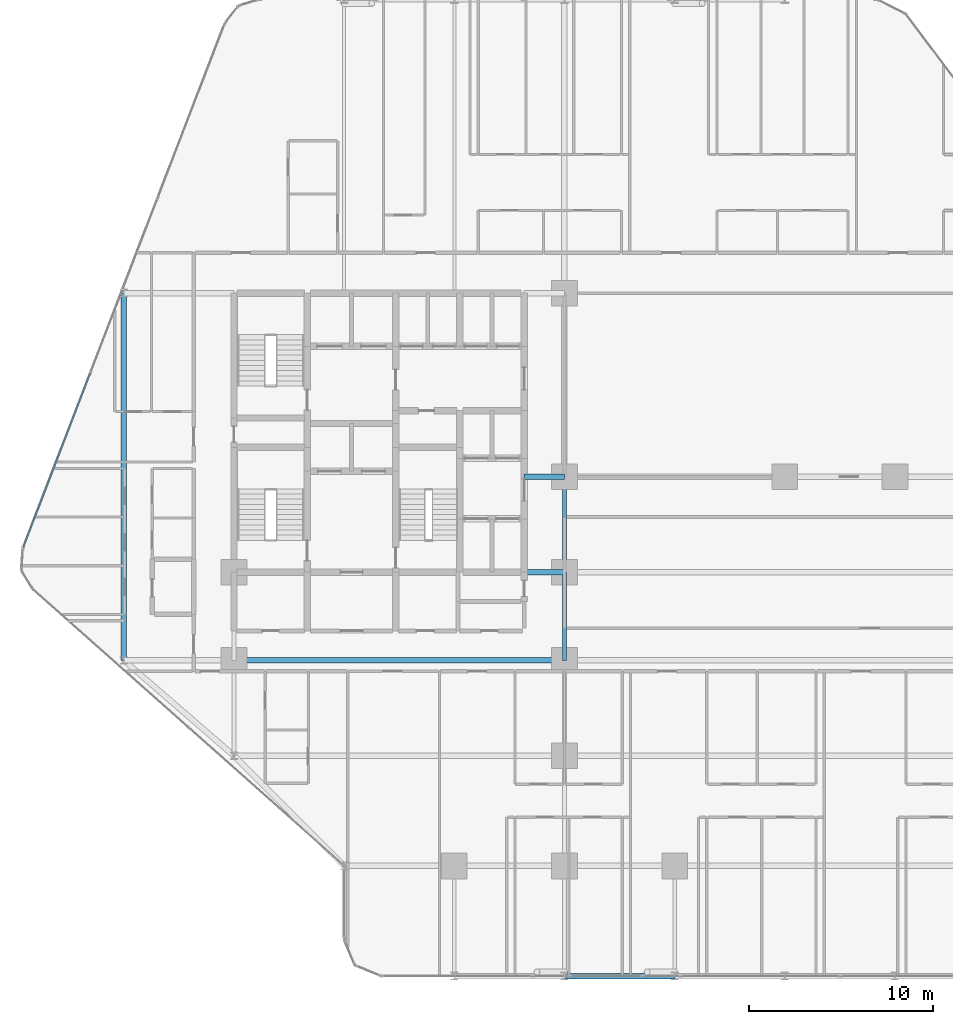
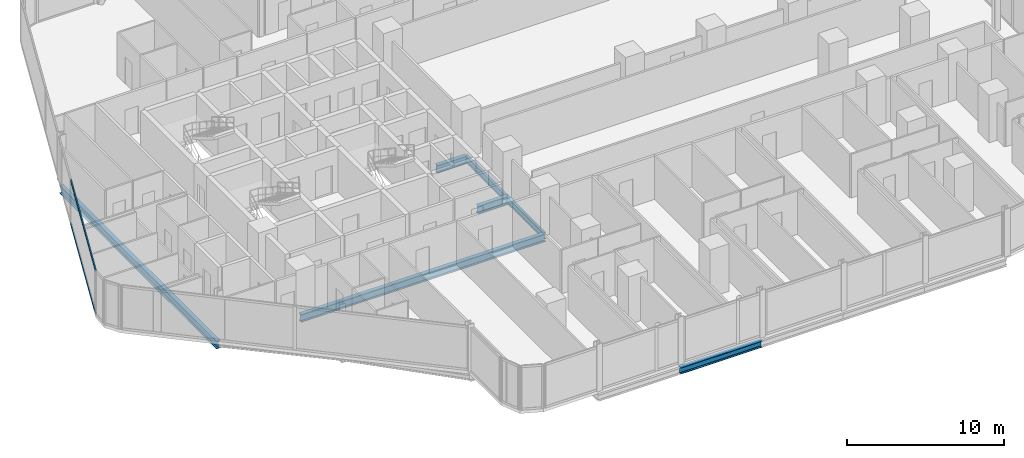
# One storey, part 6 of 33: 7 beams, 2 members, 1 element without a shape of its own.
"""IFC4 building model written with IfcOpenShell, lengths in metres."""

from ifc_helpers import new_model, si_unit, direction, frame, origin, origin_2d, place, context, subcontext, project, spatial, hollow_rectangle, i_section, extrude, material, layer, layer_set, material_profile, profile_set, type_object, element, aggregate, save


model = new_model("IFC4")

# Units and contexts
model_context = context("Model", 3, precision=1e-05, world=origin(), true_north=direction((0.0, 1.0)))
body_context = subcontext(model_context, "Body", "Model", "MODEL_VIEW")
ifc_project = project(units=[si_unit("LENGTHUNIT", "METRE"), si_unit("AREAUNIT", "SQUARE_METRE"), si_unit("VOLUMEUNIT", "CUBIC_METRE"), si_unit("PLANEANGLEUNIT", "RADIAN"), si_unit("MASSUNIT", "GRAM", prefix="KILO")], contexts=[model_context])

# Site, building, storey
site_placement = place(None, origin())
site = spatial("IfcSite", under=ifc_project, at=site_placement, CompositionType="ELEMENT")
building_placement = place(site_placement, origin())
building = spatial("IfcBuilding", under=site, at=building_placement, Name="Keshet Zoharim Tower", CompositionType="ELEMENT")
storey_placement = place(building_placement, frame((0.0, 0.0, 42.5)))
storey = spatial("IfcBuildingStorey", under=building, at=storey_placement, Name="L09", CompositionType="ELEMENT", Elevation=42.5)

# Beams
ifc_material_1 = material(Name="Steel S355", Category="steel")
ifc_material_profile_1 = material_profile(ifc_material_1, i_section(OverallWidth=0.300048828125, OverallDepth=0.60009765625, WebThickness=0.015380859375, FlangeThickness=0.030029296875, FilletRadius=0.027099609375, at=origin_2d()), Name="HEB600")
ifc_profile_set_1 = profile_set([ifc_material_profile_1], Name="Steel S355")
beam_type_1 = type_object("IfcBeamType", Name="BM-CLK-HB600", PredefinedType="BEAM", material=ifc_profile_set_1)
for number, where, z_axis, x_axis, name in (
    (1, (30.800048828125, 22.699951171875, -0.614990234375), (1.0, 0.0, 0.0), (0.0, 1.0, 0.0), "L09 Core Wall Link Girder 01"),
    (2, (30.800048828125, 27.89990234375, -0.614990234375), (1.0, 0.0, 0.0), (0.0, 1.0, 0.0), "L09 Core Wall Link Girder 02"),
):
    element("IfcBeam", number, at=place(storey_placement, frame(where, z_axis=z_axis, x_axis=x_axis)), inside=storey, type_object=beam_type_1, Name=name, PredefinedType="BEAM", context=body_context, shape_type="SweptSolid", body=[
        extrude(i_section(OverallWidth=0.300048828125, OverallDepth=0.60009765625, WebThickness=0.015380859375, FlangeThickness=0.030029296875, FilletRadius=0.027099609375, at=origin_2d()), origin(), (0.0, 0.0, 1.0), 2.199951171875),
    ])
ifc_material_profile_2 = material_profile(ifc_material_1, i_section(OverallWidth=0.300048828125, OverallDepth=0.60009765625, WebThickness=0.015380859375, FlangeThickness=0.030029296875, FilletRadius=0.027099609375, at=origin_2d()), Name="HEB600")
ifc_profile_set_2 = profile_set([ifc_material_profile_2], Name="Steel S355")
beam_type_2 = type_object("IfcBeamType", Name="BM-LNG-HB600", PredefinedType="BEAM", material=ifc_profile_set_2)
beam_1_placement = place(storey_placement, frame((15.0, 17.89990234375, -0.614990234375), z_axis=(1.0, 0.0, 0.0), x_axis=(0.0, 1.0, 0.0)))
element("IfcBeam", 3, at=beam_1_placement, inside=storey, type_object=beam_type_2, Name="L09 Primary Girder X-016", PredefinedType="BEAM", context=body_context, shape_type="SweptSolid", body=[
    extrude(i_section(OverallWidth=0.300048828125, OverallDepth=0.60009765625, WebThickness=0.015380859375, FlangeThickness=0.030029296875, FilletRadius=0.027099609375, at=origin_2d()), origin(), (0.0, 0.0, 1.0), 18.0),
])
beam_2_placement = place(storey_placement, frame((9.0, 17.89990234375, -0.614990234375), z_axis=(0.0, 1.0, 0.0), x_axis=(-1.0, 0.0, 0.0)))
element("IfcBeam", 4, at=beam_2_placement, inside=storey, type_object=beam_type_2, Name="L09 Primary Girder Y-001", PredefinedType="BEAM", context=body_context, shape_type="SweptSolid", body=[
    extrude(i_section(OverallWidth=0.300048828125, OverallDepth=0.60009765625, WebThickness=0.015380859375, FlangeThickness=0.030029296875, FilletRadius=0.027099609375, at=origin_2d()), origin(), (0.0, 0.0, 1.0), 20.0),
])
ifc_material_profile_3 = material_profile(ifc_material_1, i_section(OverallWidth=0.199951171875, OverallDepth=0.5, WebThickness=0.01025390625, FlangeThickness=0.01611328125, FilletRadius=0.02099609375, at=origin_2d()), Name="IPE500")
ifc_profile_set_3 = profile_set([ifc_material_profile_3], Name="Steel S355")
beam_type_3 = type_object("IfcBeamType", Name="BM-PRI-IP500", PredefinedType="BEAM", material=ifc_profile_set_3)
beam_3_placement = place(storey_placement, frame((33.0, 17.89990234375, -0.56494140625), z_axis=(0.0, 1.0, 0.0), x_axis=(-1.0, 0.0, 0.0)))
element("IfcBeam", 5, at=beam_3_placement, inside=storey, type_object=beam_type_3, Name="L09 Primary Girder Y-008", PredefinedType="BEAM", context=body_context, shape_type="SweptSolid", body=[
    extrude(i_section(OverallWidth=0.199951171875, OverallDepth=0.5, WebThickness=0.01025390625, FlangeThickness=0.01611328125, FilletRadius=0.02099609375, at=origin_2d()), origin(), (0.0, 0.0, 1.0), 4.800048828125),
])
beam_4_placement = place(storey_placement, frame((33.0, 22.699951171875, -0.56494140625), z_axis=(0.0, 1.0, 0.0), x_axis=(-1.0, 0.0, 0.0)))
element("IfcBeam", 6, at=beam_4_placement, inside=storey, type_object=beam_type_3, Name="L09 Primary Girder Y-009", PredefinedType="BEAM", context=body_context, shape_type="SweptSolid", body=[
    extrude(i_section(OverallWidth=0.199951171875, OverallDepth=0.5, WebThickness=0.01025390625, FlangeThickness=0.01611328125, FilletRadius=0.02099609375, at=origin_2d()), origin(), (0.0, 0.0, 1.0), 5.199951171875),
])
ifc_material_profile_4 = material_profile(ifc_material_1, i_section(OverallWidth=0.300048828125, OverallDepth=0.5, WebThickness=0.014404296875, FlangeThickness=0.028076171875, FilletRadius=0.027099609375, at=origin_2d()), Name="HEB500")
ifc_profile_set_4 = profile_set([ifc_material_profile_4], Name="Steel S355")
beam_type_4 = type_object("IfcBeamType", Name="BM-WEB-HB500", PredefinedType="BEAM", material=ifc_profile_set_4)
beam_5_placement = place(storey_placement, frame((33.0, 0.699951171875, -0.56494140625), z_axis=(1.0, 0.0, 0.0), x_axis=(0.0, 1.0, 0.0)))
element("IfcBeam", 7, at=beam_5_placement, inside=storey, type_object=beam_type_4, Name="L09 Primary Girder X-002", PredefinedType="BEAM", context=body_context, shape_type="SweptSolid", body=[
    extrude(i_section(OverallWidth=0.300048828125, OverallDepth=0.5, WebThickness=0.014404296875, FlangeThickness=0.028076171875, FilletRadius=0.027099609375, at=origin_2d()), origin(), (0.0, 0.0, 1.0), 6.0),
])

# Curtain wall, members
ifc_material_2 = material(Name="Aluminium 6063-T6", Category="aluminium")
ifc_layer = layer(ifc_material_2, 0.179931640625)
ifc_layer_set = layer_set([ifc_layer], Name="Aluminium 6063-T6")
curtain_wall_type = type_object("IfcCurtainWallType", Name="CW-SYS-01", PredefinedType="NOTDEFINED", material=ifc_layer_set)
curtain_wall_placement = place(storey_placement, origin())
curtain_wall = element("IfcCurtainWall", 8, at=curtain_wall_placement, inside=storey, type_object=curtain_wall_type, Name="L09 Unitised Curtain Wall 04", PredefinedType="NOTDEFINED")
ifc_material_profile_5 = material_profile(ifc_material_2, hollow_rectangle(XDim=0.0849609375, YDim=0.159912109375, WallThickness=0.00439453125, at=origin_2d()), Name="TRN-85x160")
ifc_profile_set_5 = profile_set([ifc_material_profile_5], Name="Aluminium 6063-T6")
member_type = type_object("IfcMemberType", Name="CWT-T16", PredefinedType="USERDEFINED", material=ifc_profile_set_5)
member_1_placement = place(storey_placement, frame((3.522216796875, 24.058349609375, 0.034912109375), z_axis=(0.358993631387, 0.93334000912, 0.0), x_axis=(-0.93334000912, 0.358993631387, 0.0)))
member_1 = element("IfcMember", 9, at=member_1_placement, type_object=member_type, Name="CW-01 transom 1.1", ObjectType="TRANSOM", PredefinedType="USERDEFINED", context=body_context, shape_type="SweptSolid", body=[
    extrude(hollow_rectangle(XDim=0.0849609375, YDim=0.159912109375, WallThickness=0.00439453125, at=origin_2d()), origin(), (0.0, 0.0, 1.0), 10.1181640625),
])
member_2_placement = place(storey_placement, frame((3.522216796875, 24.058349609375, 3.35009765625), z_axis=(0.358993631387, 0.93334000912, 0.0), x_axis=(-0.93334000912, 0.358993631387, 0.0)))
member_2 = element("IfcMember", 10, at=member_2_placement, type_object=member_type, Name="CW-01 transom 1.2", ObjectType="TRANSOM", PredefinedType="USERDEFINED", context=body_context, shape_type="SweptSolid", body=[
    extrude(hollow_rectangle(XDim=0.0849609375, YDim=0.159912109375, WallThickness=0.00439453125, at=origin_2d()), origin(), (0.0, 0.0, 1.0), 10.1181640625),
])
aggregate(curtain_wall, [member_1, member_2])

save(model, "model.ifc")
